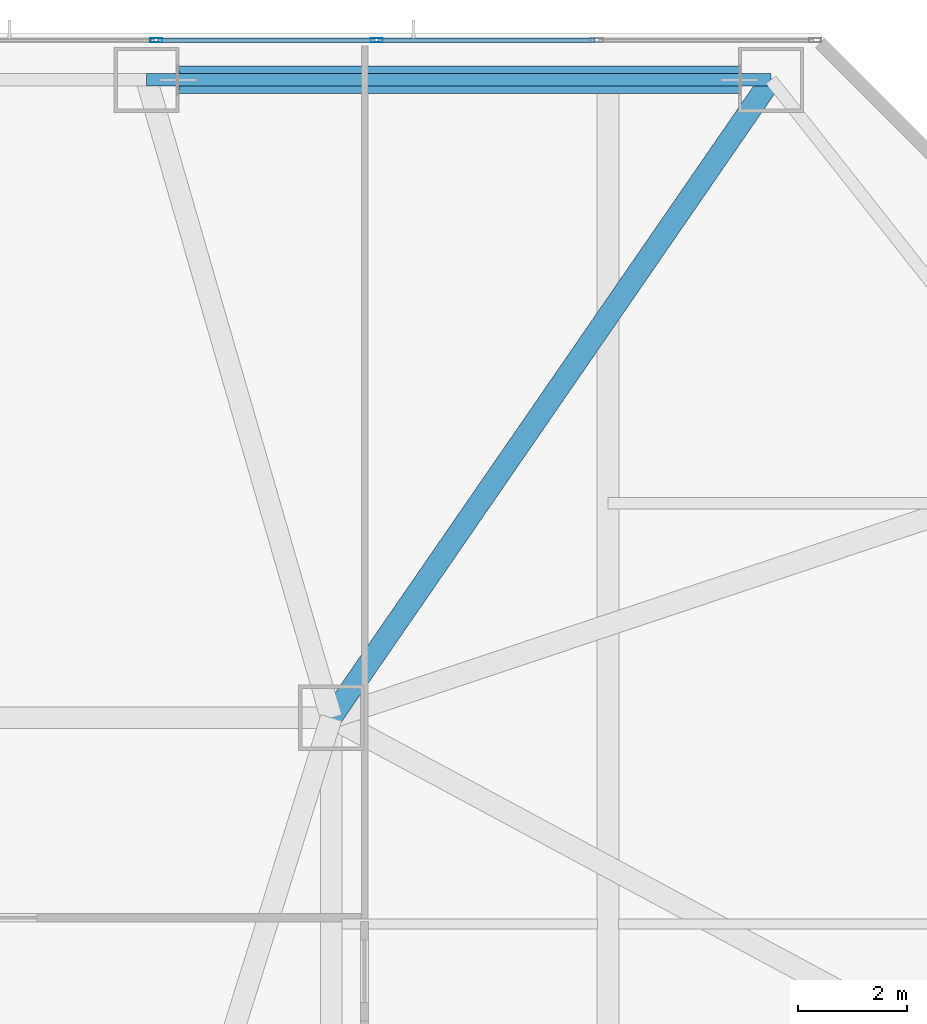
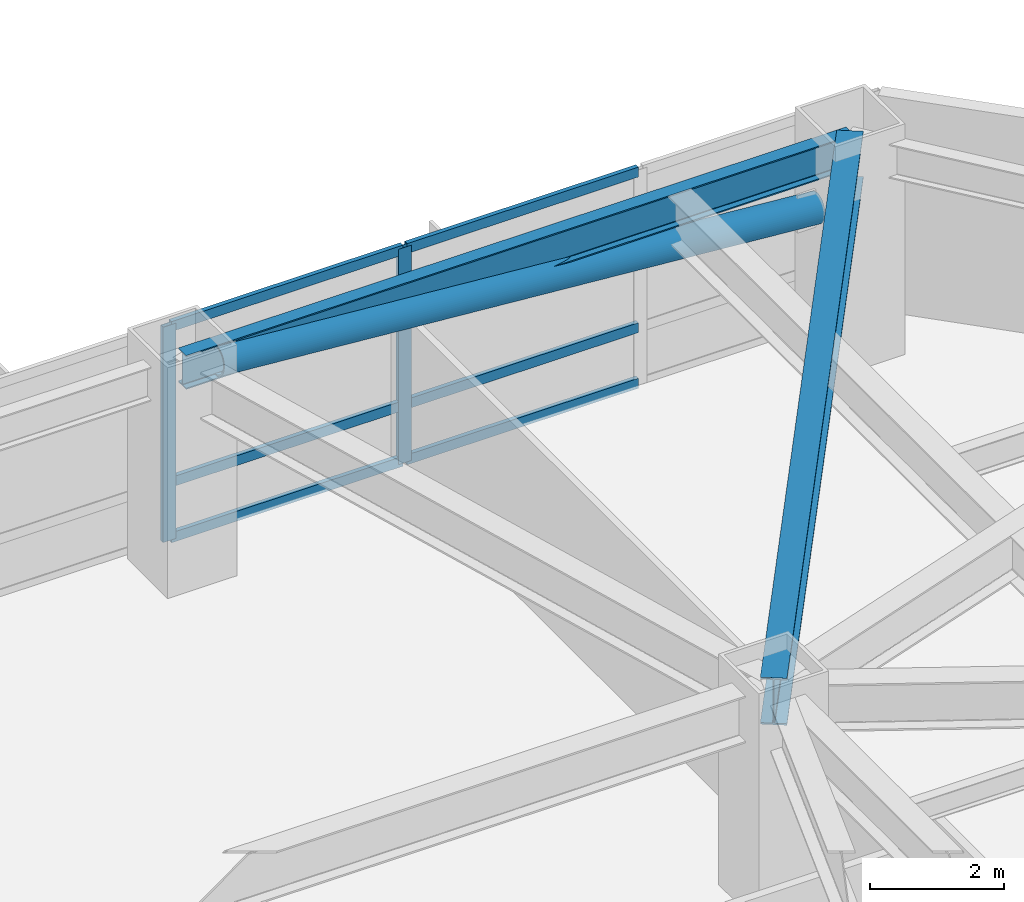
# One storey, part 7 of 25: 9 members, 2 beams, 1 element without a shape of its own.
"""IFC4 building model written with IfcOpenShell, lengths in metres."""

from ifc_helpers import new_model, si_unit, direction, frame, origin, origin_2d, place, context, subcontext, project, spatial, hollow_rectangle, hollow_circle, i_section, extrude, material, material_profile, profile_set, type_object, element, aggregate, save


model = new_model("IFC4")

# Units and contexts
model_context = context("Model", 3, precision=1e-05, world=origin(), true_north=direction((0.0, 1.0)))
body_context = subcontext(model_context, "Body", "Model", "MODEL_VIEW")
ifc_project = project(units=[si_unit("LENGTHUNIT", "METRE"), si_unit("AREAUNIT", "SQUARE_METRE"), si_unit("VOLUMEUNIT", "CUBIC_METRE"), si_unit("PLANEANGLEUNIT", "RADIAN"), si_unit("MASSUNIT", "GRAM", prefix="KILO")], contexts=[model_context])

# Site, building, storey
site_placement = place(None, origin())
site = spatial("IfcSite", under=ifc_project, at=site_placement, CompositionType="ELEMENT")
building_placement = place(site_placement, origin())
building = spatial("IfcBuilding", under=site, at=building_placement, Name="Khamvora Tower", CompositionType="ELEMENT")
storey_placement = place(building_placement, frame((0.0, 0.0, 24.60009765625)))
storey = spatial("IfcBuildingStorey", under=building, at=storey_placement, Name="L05", CompositionType="ELEMENT", Elevation=24.60009765625)

# Beams
ifc_material_1 = material(Name="Steel S355", Category="steel")
ifc_material_profile_1 = material_profile(ifc_material_1, i_section(OverallWidth=0.39990234375, OverallDepth=0.85498046875, WebThickness=0.01806640625, FlangeThickness=0.029052734375, FilletRadius=0.01806640625, at=origin_2d()), Name="W840x299")
ifc_profile_set_1 = profile_set([ifc_material_profile_1], Name="Steel S355")
beam_type_1 = type_object("IfcBeamType", Name="BM-PG-W840x299", PredefinedType="BEAM", material=ifc_profile_set_1)
beam_1_placement = place(storey_placement, frame((41.39990234375, 43.39990234375, 3.492919921875), z_axis=(0.567573841069, 0.823322497527, 0.0), x_axis=(-0.823322497527, 0.567573841069, 0.0)))
element("IfcBeam", 1, at=beam_1_placement, inside=storey, type_object=beam_type_1, Name="L05 primary floor girder P08", PredefinedType="BEAM", context=body_context, shape_type="SweptSolid", body=[
    extrude(i_section(OverallWidth=0.39990234375, OverallDepth=0.85498046875, WebThickness=0.01806640625, FlangeThickness=0.029052734375, FilletRadius=0.01806640625, at=origin_2d()), origin(), (0.0, 0.0, 1.0), 14.271484375),
])
ifc_material_profile_2 = material_profile(ifc_material_1, i_section(OverallWidth=0.22998046875, OverallDepth=0.616943359375, WebThickness=0.012939453125, FlangeThickness=0.02197265625, FilletRadius=0.013916015625, at=origin_2d()), Name="W610x140")
ifc_profile_set_2 = profile_set([ifc_material_profile_2], Name="Steel S355")
beam_type_2 = type_object("IfcBeamType", Name="BM-SP-W610x140", PredefinedType="SPANDREL", material=ifc_profile_set_2)
beam_2_placement = place(storey_placement, frame((49.5, 55.14990234375, 3.61181640625), z_axis=(-1.0, 0.0, 0.0), x_axis=(0.0, -1.0, 0.0)))
element("IfcBeam", 2, at=beam_2_placement, inside=storey, type_object=beam_type_2, Name="L05 perimeter spandrel beam P08-P07", PredefinedType="SPANDREL", context=body_context, shape_type="SweptSolid", body=[
    extrude(i_section(OverallWidth=0.22998046875, OverallDepth=0.616943359375, WebThickness=0.012939453125, FlangeThickness=0.02197265625, FilletRadius=0.013916015625, at=origin_2d()), origin(), (0.0, 0.0, 1.0), 11.5),
])

# Curtain wall, members
ifc_material_2 = material(Name="Anodised Aluminium 6063-T6", Category="aluminium")
curtain_wall_type = type_object("IfcCurtainWallType", Name="CW-SYS-01", PredefinedType="NOTDEFINED", material=ifc_material_2)
curtain_wall_placement = place(storey_placement, origin())
curtain_wall = element("IfcCurtainWall", 3, at=curtain_wall_placement, inside=storey, type_object=curtain_wall_type, Name="L05 stick curtain wall 07.1", PredefinedType="NOTDEFINED")
ifc_material_profile_3 = material_profile(ifc_material_2, hollow_rectangle(XDim=0.074951171875, YDim=0.219970703125, WallThickness=0.0048828125, at=origin_2d()), Name="MUL75x220x5")
ifc_profile_set_3 = profile_set([ifc_material_profile_3], Name="Anodised Aluminium 6063-T6")
member_type_1 = type_object("IfcMemberType", Name="CW-SYS-01-MUL", PredefinedType="MULLION", material=ifc_profile_set_3)
member_1_placement = place(storey_placement, frame((38.18017578125, 55.8798828125, 0.0), z_axis=(0.0, 0.0, 1.0), x_axis=(0.0, 1.0, 0.0)))
member_1 = element("IfcMember", 4, at=member_1_placement, type_object=member_type_1, Name="CW-01 mullion 9", PredefinedType="MULLION", context=body_context, shape_type="SweptSolid", body=[
    extrude(hollow_rectangle(XDim=0.074951171875, YDim=0.219970703125, WallThickness=0.0048828125, at=origin_2d()), origin(), (0.0, 0.0, 1.0), 3.919921875),
])
member_2_placement = place(storey_placement, frame((42.23681640625, 55.8798828125, 0.0), z_axis=(0.0, 0.0, 1.0), x_axis=(0.0, 1.0, 0.0)))
member_2 = element("IfcMember", 5, at=member_2_placement, type_object=member_type_1, Name="CW-01 mullion 10", PredefinedType="MULLION", context=body_context, shape_type="SweptSolid", body=[
    extrude(hollow_rectangle(XDim=0.074951171875, YDim=0.219970703125, WallThickness=0.0048828125, at=origin_2d()), origin(), (0.0, 0.0, 1.0), 3.919921875),
])
ifc_material_profile_4 = material_profile(ifc_material_2, hollow_rectangle(XDim=0.074951171875, YDim=0.179931640625, WallThickness=0.0048828125, at=origin_2d()), Name="TRN75x180x5")
ifc_profile_set_4 = profile_set([ifc_material_profile_4], Name="Anodised Aluminium 6063-T6")
member_type_2 = type_object("IfcMemberType", Name="CW-SYS-01-TRN", PredefinedType="USERDEFINED", material=ifc_profile_set_4)
member_3_placement = place(storey_placement, frame((38.217529296875, 55.8798828125, 0.037353515625), z_axis=(1.0, 0.0, 0.0), x_axis=(0.0, 1.0, 0.0)))
member_3 = element("IfcMember", 6, at=member_3_placement, type_object=member_type_2, Name="CW-01 transom 9.1", ObjectType="TRANSOM", PredefinedType="USERDEFINED", context=body_context, shape_type="SweptSolid", body=[
    extrude(hollow_rectangle(XDim=0.074951171875, YDim=0.179931640625, WallThickness=0.0048828125, at=origin_2d()), origin(), (0.0, 0.0, 1.0), 3.981689453125),
])
member_4_placement = place(storey_placement, frame((38.217529296875, 55.8798828125, 1.0498046875), z_axis=(1.0, 0.0, 0.0), x_axis=(0.0, 1.0, 0.0)))
member_4 = element("IfcMember", 7, at=member_4_placement, type_object=member_type_2, Name="CW-01 transom 9.2", ObjectType="TRANSOM", PredefinedType="USERDEFINED", context=body_context, shape_type="SweptSolid", body=[
    extrude(hollow_rectangle(XDim=0.074951171875, YDim=0.179931640625, WallThickness=0.0048828125, at=origin_2d()), origin(), (0.0, 0.0, 1.0), 3.981689453125),
])
member_5_placement = place(storey_placement, frame((38.217529296875, 55.8798828125, 3.88232421875), z_axis=(1.0, 0.0, 0.0), x_axis=(0.0, 1.0, 0.0)))
member_5 = element("IfcMember", 8, at=member_5_placement, type_object=member_type_2, Name="CW-01 transom 9.3", ObjectType="TRANSOM", PredefinedType="USERDEFINED", context=body_context, shape_type="SweptSolid", body=[
    extrude(hollow_rectangle(XDim=0.074951171875, YDim=0.179931640625, WallThickness=0.0048828125, at=origin_2d()), origin(), (0.0, 0.0, 1.0), 3.981689453125),
])
member_6_placement = place(storey_placement, frame((42.274169921875, 55.8798828125, 0.037353515625), z_axis=(1.0, 0.0, 0.0), x_axis=(0.0, 1.0, 0.0)))
member_6 = element("IfcMember", 9, at=member_6_placement, type_object=member_type_2, Name="CW-01 transom 10.1", ObjectType="TRANSOM", PredefinedType="USERDEFINED", context=body_context, shape_type="SweptSolid", body=[
    extrude(hollow_rectangle(XDim=0.074951171875, YDim=0.179931640625, WallThickness=0.0048828125, at=origin_2d()), origin(), (0.0, 0.0, 1.0), 3.981689453125),
])
member_7_placement = place(storey_placement, frame((42.274169921875, 55.8798828125, 1.0498046875), z_axis=(1.0, 0.0, 0.0), x_axis=(0.0, 1.0, 0.0)))
member_7 = element("IfcMember", 10, at=member_7_placement, type_object=member_type_2, Name="CW-01 transom 10.2", ObjectType="TRANSOM", PredefinedType="USERDEFINED", context=body_context, shape_type="SweptSolid", body=[
    extrude(hollow_rectangle(XDim=0.074951171875, YDim=0.179931640625, WallThickness=0.0048828125, at=origin_2d()), origin(), (0.0, 0.0, 1.0), 3.981689453125),
])
member_8_placement = place(storey_placement, frame((42.274169921875, 55.8798828125, 3.88232421875), z_axis=(1.0, 0.0, 0.0), x_axis=(0.0, 1.0, 0.0)))
member_8 = element("IfcMember", 11, at=member_8_placement, type_object=member_type_2, Name="CW-01 transom 10.3", ObjectType="TRANSOM", PredefinedType="USERDEFINED", context=body_context, shape_type="SweptSolid", body=[
    extrude(hollow_rectangle(XDim=0.074951171875, YDim=0.179931640625, WallThickness=0.0048828125, at=origin_2d()), origin(), (0.0, 0.0, 1.0), 3.981689453125),
])
aggregate(curtain_wall, [member_1, member_2, member_3, member_4, member_5, member_6, member_7, member_8])

# Member
ifc_material_3 = material(Name="Steel S460", Category="steel")
ifc_material_profile_5 = material_profile(ifc_material_3, hollow_circle(Radius=0.25390625, WallThickness=0.02490234375, at=origin_2d()), Name="CHS508x25")
ifc_profile_set_5 = profile_set([ifc_material_profile_5], Name="Steel S460")
member_type_3 = type_object("IfcMemberType", Name="MEM-BR-CHS508", PredefinedType="BRACE", material=ifc_profile_set_5)
member_9_placement = place(storey_placement, frame((48.922119140625, 55.14990234375, 2.726806640625), z_axis=(-0.996733604617, 0.0, 0.080759652222), x_axis=(0.0, -1.0, 0.0)))
element("IfcMember", 12, at=member_9_placement, inside=storey, type_object=member_type_3, Name="L05 perimeter wind brace 4", PredefinedType="BRACE", context=body_context, shape_type="SweptSolid", body=[
    extrude(hollow_circle(Radius=0.25390625, WallThickness=0.02490234375, at=origin_2d()), origin(), (0.0, 0.0, 1.0), 10.378173828125),
])

save(model, "model.ifc")
